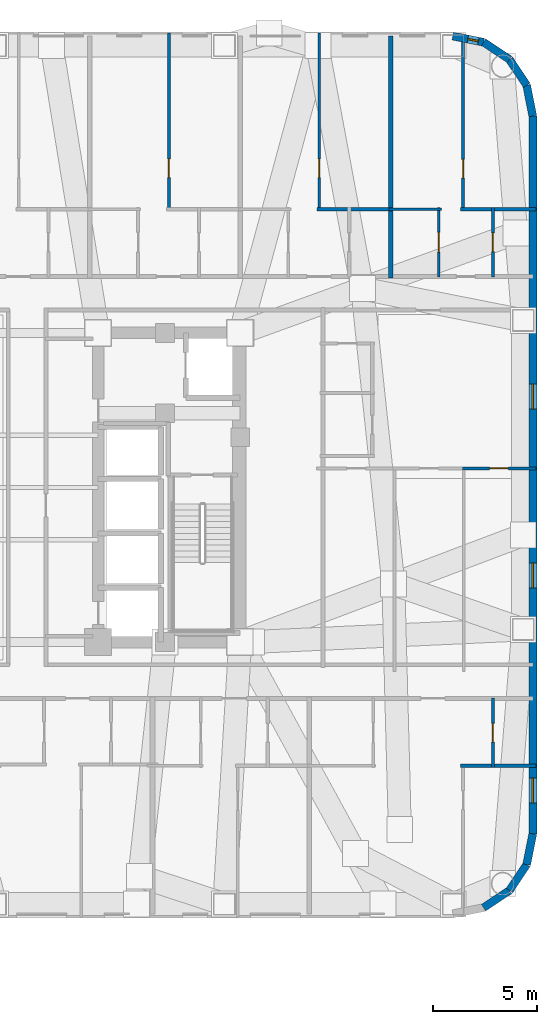
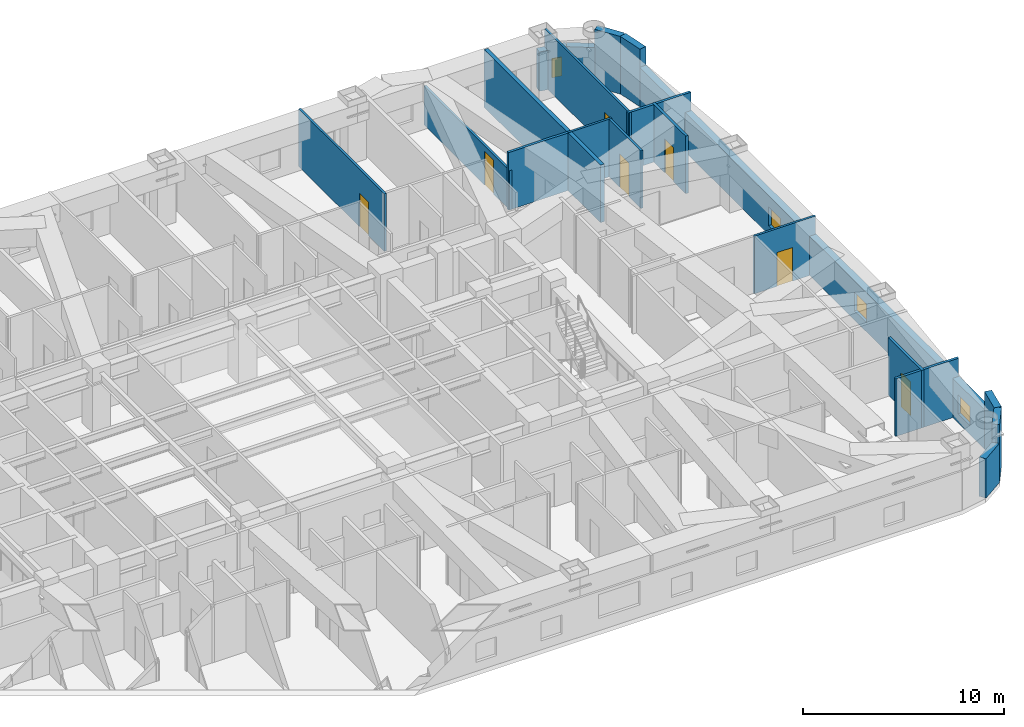
# One storey, part 11 of 14: 20 walls, 7 doors, 4 windows, 11 openings.
"""IFC4 building model written with IfcOpenShell, lengths in metres."""

from ifc_helpers import new_model, si_unit, direction, frame, frame_2d, origin, place, context, subcontext, project, spatial, rectangle, extrude, material, layer, layer_set, type_object, element, fill, save


model = new_model("IFC4")

# Units and contexts
model_context = context("Model", 3, precision=1e-05, world=origin(), true_north=direction((0.0, 1.0)))
body_context = subcontext(model_context, "Body", "Model", "MODEL_VIEW")
ifc_project = project(units=[si_unit("LENGTHUNIT", "METRE"), si_unit("AREAUNIT", "SQUARE_METRE"), si_unit("VOLUMEUNIT", "CUBIC_METRE"), si_unit("PLANEANGLEUNIT", "RADIAN"), si_unit("MASSUNIT", "GRAM", prefix="KILO")], contexts=[model_context])

# Site, building, storey
site_placement = place(None, origin())
site = spatial("IfcSite", under=ifc_project, at=site_placement, CompositionType="ELEMENT")
building_placement = place(site_placement, origin())
building = spatial("IfcBuilding", under=site, at=building_placement, Name="Voryun Gate Residences", CompositionType="ELEMENT")
storey_placement = place(building_placement, frame((0.0, 0.0, 136.5)))
storey = spatial("IfcBuildingStorey", under=building, at=storey_placement, Name="L33", CompositionType="ELEMENT", Elevation=136.5)

# Wall, opening, window
ifc_material_1 = material(Name="Granite masonry", Category="masonry")
ifc_layer_1 = layer(ifc_material_1, 0.3798828125, Name="W_EXT_GRANITE_380")
ifc_layer_set_1 = layer_set([ifc_layer_1], Name="Granite masonry")
wall_type_1 = type_object("IfcWallType", Name="W_EXT_GRANITE_380", PredefinedType="ELEMENTEDWALL", material=ifc_layer_set_1)
wall_1_placement = place(storey_placement, frame((29.38134765625, 21.610107421875, 0.0), z_axis=(0.0, 0.0, 1.0), x_axis=(0.980755066645, -0.195242155415, 0.0)))
wall_1 = element("IfcWall", 1, at=wall_1_placement, inside=storey, type_object=wall_type_1, Name="Exterior wall WEXT-L33-12", PredefinedType="ELEMENTEDWALL", context=body_context, shape_type="SweptSolid", body=[
    extrude(rectangle(XDim=1.50439453125, YDim=0.3798828125, at=frame_2d((0.752197265625, 0.0))), origin(), (0.0, 0.0, 1.0), 2.389892578125),
])
opening_1_placement = place(wall_1_placement, frame((0.732177734375, 0.0, 0.550048828125)))
opening_1 = element("IfcOpeningElement", 2, at=opening_1_placement, cuts=wall_1, Name="Opening WN10", PredefinedType="OPENING", context=body_context, shape_type="SweptSolid", body=[
    extrude(rectangle(XDim=0.52001953125, YDim=1.14990234375, at=frame_2d((0.260009765625, 0.574951171875))), frame((0.0, 0.199951171875, 0.0), z_axis=(0.0, -1.0, 0.0), x_axis=(1.0, 0.0, 0.0)), (0.0, 0.0, 1.0), 0.39990234375),
])
ifc_material_2 = material(Name="Laminated low-E glass", Category="glass")
window_type_1 = type_object("IfcWindowType", Name="WN_PAGODA_LANCET_520", PartitioningType="SINGLE_PANEL", PredefinedType="WINDOW", material=ifc_material_2)
window_1_placement = place(opening_1_placement, origin())
window_1 = element("IfcWindow", 3, at=window_1_placement, inside=storey, type_object=window_type_1, Name="Window WN-L33-DWFIX-14", OverallHeight=1.14990234375, OverallWidth=0.52001953125, PartitioningType="SINGLE_PANEL", PredefinedType="WINDOW", context=body_context, shape_type="SweptSolid", body=[
    extrude(rectangle(XDim=0.52001953125, YDim=1.14990234375, at=frame_2d((0.260009765625, 0.574951171875))), frame((0.0, 0.030029296875, 0.0), z_axis=(0.0, -1.0, 0.0), x_axis=(1.0, 0.0, 0.0)), (0.0, 0.0, 1.0), 0.06005859375),
])
fill(opening_1, window_1)

# Walls
wall_2_placement = place(storey_placement, frame((30.856689453125, 21.31640625, 0.0), z_axis=(0.0, 0.0, 1.0), x_axis=(0.831468045563, -0.555572577804, 0.0)))
element("IfcWall", 4, at=wall_2_placement, inside=storey, type_object=wall_type_1, Name="Exterior wall WEXT-L33-13", PredefinedType="ELEMENTEDWALL", context=body_context, shape_type="SweptSolid", body=[
    extrude(rectangle(XDim=1.48486328125, YDim=0.3798828125, at=frame_2d((0.742431640625, 0.0))), origin(), (0.0, 0.0, 1.0), 2.389892578125),
])
wall_3_placement = place(storey_placement, frame((32.09130859375, 20.491455078125, 0.0), z_axis=(0.0, 0.0, 1.0), x_axis=(0.555610286119, -0.831442848281, 0.0)))
element("IfcWall", 5, at=wall_3_placement, inside=storey, type_object=wall_type_1, Name="Exterior wall WEXT-L33-14", PredefinedType="ELEMENTEDWALL", context=body_context, shape_type="SweptSolid", body=[
    extrude(rectangle(XDim=1.485107421875, YDim=0.3798828125, at=frame_2d((0.74267578125, 0.0))), origin(), (0.0, 0.0, 1.0), 3.5),
])
wall_4_placement = place(storey_placement, frame((32.91650390625, 19.256591796875, 0.0), z_axis=(0.0, 0.0, 1.0), x_axis=(0.195086038585, -0.980786132421, 0.0)))
element("IfcWall", 6, at=wall_4_placement, inside=storey, type_object=wall_type_1, Name="Exterior wall WEXT-L33-15", PredefinedType="ELEMENTEDWALL", context=body_context, shape_type="SweptSolid", body=[
    extrude(rectangle(XDim=1.504150390625, YDim=0.3798828125, at=frame_2d((0.751953125, 0.0))), origin(), (0.0, 0.0, 1.0), 3.5),
])

# Wall, openings, windows
wall_5_placement = place(storey_placement, frame((33.2099609375, 17.78125, 0.0), z_axis=(0.0, 0.0, 1.0), x_axis=(0.0, -1.0, 0.0)))
wall_5 = element("IfcWall", 7, at=wall_5_placement, inside=storey, type_object=wall_type_1, Name="Exterior wall WEXT-L33-16", PredefinedType="ELEMENTEDWALL", context=body_context, shape_type="SweptSolid", body=[
    extrude(rectangle(XDim=34.362548828125, YDim=0.3798828125, at=frame_2d((17.18115234375, 0.0))), origin(), (0.0, 0.0, 1.0), 2.389892578125),
])
opening_2_placement = place(wall_5_placement, frame((31.68701171875, 0.0, 0.550048828125)))
opening_2 = element("IfcOpeningElement", 8, at=opening_2_placement, cuts=wall_5, Name="Opening WN6", PredefinedType="OPENING", context=body_context, shape_type="SweptSolid", body=[
    extrude(rectangle(XDim=1.199951171875, YDim=1.14990234375, at=frame_2d((0.60009765625, 0.574951171875))), frame((0.0, 0.199951171875, 0.0), z_axis=(0.0, -1.0, 0.0), x_axis=(1.0, 0.0, 0.0)), (0.0, 0.0, 1.0), 0.39990234375),
])
opening_3_placement = place(wall_5_placement, frame((12.836181640625, 0.0, 0.550048828125)))
opening_3 = element("IfcOpeningElement", 9, at=opening_3_placement, cuts=wall_5, Name="Opening WN6", PredefinedType="OPENING", context=body_context, shape_type="SweptSolid", body=[
    extrude(rectangle(XDim=1.199951171875, YDim=1.14990234375, at=frame_2d((0.60009765625, 0.574951171875))), frame((0.0, 0.199951171875, 0.0), z_axis=(0.0, -1.0, 0.0), x_axis=(1.0, 0.0, 0.0)), (0.0, 0.0, 1.0), 0.39990234375),
])
opening_4_placement = place(wall_5_placement, frame((21.38623046875, 0.0, 0.550048828125)))
opening_4 = element("IfcOpeningElement", 10, at=opening_4_placement, cuts=wall_5, Name="Opening WN6", PredefinedType="OPENING", context=body_context, shape_type="SweptSolid", body=[
    extrude(rectangle(XDim=1.199951171875, YDim=1.14990234375, at=frame_2d((0.60009765625, 0.574951171875))), frame((0.0, 0.199951171875, 0.0), z_axis=(0.0, -1.0, 0.0), x_axis=(1.0, 0.0, 0.0)), (0.0, 0.0, 1.0), 0.39990234375),
])
ifc_material_3 = material(Name="Laminated low-E glass", Category="glass")
window_type_2 = type_object("IfcWindowType", Name="WN_POD_SLOT_1200", PartitioningType="SINGLE_PANEL", PredefinedType="WINDOW", material=ifc_material_3)
window_2_placement = place(opening_2_placement, origin())
window_2 = element("IfcWindow", 11, at=window_2_placement, inside=storey, type_object=window_type_2, Name="Window WN-L33-DWFIX-25", OverallHeight=1.14990234375, OverallWidth=1.199951171875, PartitioningType="SINGLE_PANEL", PredefinedType="WINDOW", context=body_context, shape_type="SweptSolid", body=[
    extrude(rectangle(XDim=1.199951171875, YDim=1.14990234375, at=frame_2d((0.60009765625, 0.574951171875))), frame((0.0, 0.030029296875, 0.0), z_axis=(0.0, -1.0, 0.0), x_axis=(1.0, 0.0, 0.0)), (0.0, 0.0, 1.0), 0.06005859375),
])
fill(opening_2, window_2)
window_3_placement = place(opening_3_placement, origin())
window_3 = element("IfcWindow", 12, at=window_3_placement, inside=storey, type_object=window_type_2, Name="Window WN-L33-DWFIX-28", OverallHeight=1.14990234375, OverallWidth=1.199951171875, PartitioningType="SINGLE_PANEL", PredefinedType="WINDOW", context=body_context, shape_type="SweptSolid", body=[
    extrude(rectangle(XDim=1.199951171875, YDim=1.14990234375, at=frame_2d((0.60009765625, 0.574951171875))), frame((0.0, 0.030029296875, 0.0), z_axis=(0.0, -1.0, 0.0), x_axis=(1.0, 0.0, 0.0)), (0.0, 0.0, 1.0), 0.06005859375),
])
fill(opening_3, window_3)
window_4_placement = place(opening_4_placement, origin())
window_4 = element("IfcWindow", 13, at=window_4_placement, inside=storey, type_object=window_type_2, Name="Window WN-L33-DWFIX-29", OverallHeight=1.14990234375, OverallWidth=1.199951171875, PartitioningType="SINGLE_PANEL", PredefinedType="WINDOW", context=body_context, shape_type="SweptSolid", body=[
    extrude(rectangle(XDim=1.199951171875, YDim=1.14990234375, at=frame_2d((0.60009765625, 0.574951171875))), frame((0.0, 0.030029296875, 0.0), z_axis=(0.0, -1.0, 0.0), x_axis=(1.0, 0.0, 0.0)), (0.0, 0.0, 1.0), 0.06005859375),
])
fill(opening_4, window_4)

# Walls
wall_6_placement = place(storey_placement, frame((33.2099609375, -16.581298828125, 0.0), z_axis=(0.0, 0.0, 1.0), x_axis=(-0.195086038585, -0.980786132421, 0.0)))
element("IfcWall", 14, at=wall_6_placement, inside=storey, type_object=wall_type_1, Name="Exterior wall WEXT-L33-17", PredefinedType="ELEMENTEDWALL", context=body_context, shape_type="SweptSolid", body=[
    extrude(rectangle(XDim=1.504150390625, YDim=0.3798828125, at=frame_2d((0.751953125, 0.0))), origin(), (0.0, 0.0, 1.0), 3.5),
])
wall_7_placement = place(storey_placement, frame((32.91650390625, -18.056640625, 0.0), z_axis=(0.0, 0.0, 1.0), x_axis=(-0.555610286119, -0.831442848281, 0.0)))
element("IfcWall", 15, at=wall_7_placement, inside=storey, type_object=wall_type_1, Name="Exterior wall WEXT-L33-18", PredefinedType="ELEMENTEDWALL", context=body_context, shape_type="SweptSolid", body=[
    extrude(rectangle(XDim=1.485107421875, YDim=0.3798828125, at=frame_2d((0.74267578125, 0.0))), origin(), (0.0, 0.0, 1.0), 3.5),
])
wall_8_placement = place(storey_placement, frame((32.09130859375, -19.29150390625, 0.0), z_axis=(0.0, 0.0, 1.0), x_axis=(-0.831468045563, -0.555572577804, 0.0)))
element("IfcWall", 16, at=wall_8_placement, inside=storey, type_object=wall_type_1, Name="Exterior wall WEXT-L33-19", PredefinedType="ELEMENTEDWALL", context=body_context, shape_type="SweptSolid", body=[
    extrude(rectangle(XDim=1.48486328125, YDim=0.3798828125, at=frame_2d((0.742431640625, 0.0))), origin(), (0.0, 0.0, 1.0), 2.389892578125),
])
ifc_material_4 = material(Name="Concrete C40/50", Category="concrete")
ifc_layer_2 = layer(ifc_material_4, 0.219970703125, Name="W_PARTY_ACOUSTIC_220")
ifc_layer_set_2 = layer_set([ifc_layer_2], Name="Concrete C40/50")
wall_type_2 = type_object("IfcWallType", Name="W_PARTY_ACOUSTIC_220", PredefinedType="PARTITIONING", material=ifc_layer_set_2)
wall_9_placement = place(storey_placement, frame((26.39990234375, 10.02001953125, 0.0), z_axis=(0.0, 0.0, 1.0), x_axis=(0.0, 1.0, 0.0)))
element("IfcWall", 17, at=wall_9_placement, inside=storey, type_object=wall_type_2, Name="Partition wall WP-L33-NPTY-8", PredefinedType="PARTITIONING", context=body_context, shape_type="SweptSolid", body=[
    extrude(rectangle(XDim=11.590087890625, YDim=0.219970703125, at=frame_2d((5.794921875, 0.0))), origin(), (0.0, 0.0, 1.0), 3.5),
])

# Wall, opening, door
ifc_material_5 = material(Name="Gypsum acoustic partition")
ifc_layer_3 = layer(ifc_material_5, 0.125, Name="W_UNIT_PART_125")
ifc_layer_set_3 = layer_set([ifc_layer_3], Name="Gypsum acoustic partition")
wall_type_3 = type_object("IfcWallType", Name="W_UNIT_PART_125", PredefinedType="PARTITIONING", material=ifc_layer_set_3)
wall_10_placement = place(storey_placement, frame((15.7900390625, 13.239990234375, 0.0), z_axis=(0.0, 0.0, 1.0), x_axis=(0.0, 1.0, 0.0)))
wall_10 = element("IfcWall", 18, at=wall_10_placement, inside=storey, type_object=wall_type_3, Name="Partition wall WP-L33-N7-OVR", PredefinedType="PARTITIONING", context=body_context, shape_type="SweptSolid", body=[
    extrude(rectangle(XDim=8.52001953125, YDim=0.125, at=frame_2d((4.260009765625, 0.0))), origin(), (0.0, 0.0, 1.0), 3.5),
])
opening_5_placement = place(wall_10_placement, frame((1.5947265625, 0.0, 0.0)))
opening_5 = element("IfcOpeningElement", 19, at=opening_5_placement, cuts=wall_10, Name="Opening D-INT-2", PredefinedType="OPENING", context=body_context, shape_type="SweptSolid", body=[
    extrude(rectangle(XDim=0.89990234375, YDim=2.050048828125, at=frame_2d((0.449951171875, 1.02490234375))), frame((0.0, 0.072509765625, 0.0), z_axis=(0.0, -1.0, 0.0), x_axis=(1.0, 0.0, 0.0)), (0.0, 0.0, 1.0), 0.14501953125),
])
ifc_material_6 = material(Name="Architectural oak veneer")
door_type_1 = type_object("IfcDoorType", Name="DR_INT_BATH_900", OperationType="NOTDEFINED", PredefinedType="DOOR", material=ifc_material_6)
door_1_placement = place(opening_5_placement, origin())
door_1 = element("IfcDoor", 20, at=door_1_placement, inside=storey, type_object=door_type_1, Name="Door DR-L33-N7-DMB", OperationType="SINGLE_SWING_RIGHT", OverallHeight=2.050048828125, OverallWidth=0.89990234375, PredefinedType="DOOR", context=body_context, shape_type="SweptSolid", body=[
    extrude(rectangle(XDim=0.89990234375, YDim=2.050048828125, at=frame_2d((0.449951171875, 1.02490234375))), frame((0.0, 0.02490234375, 0.0), z_axis=(0.0, -1.0, 0.0), x_axis=(1.0, 0.0, 0.0)), (0.0, 0.0, 1.0), 0.050048828125),
])
fill(opening_5, door_1)

wall_11_placement = place(storey_placement, frame((22.989990234375, 13.239990234375, 0.0), z_axis=(0.0, 0.0, 1.0), x_axis=(0.0, 1.0, 0.0)))
wall_11 = element("IfcWall", 21, at=wall_11_placement, inside=storey, type_object=wall_type_3, Name="Partition wall WP-L33-N8-OVR", PredefinedType="PARTITIONING", context=body_context, shape_type="SweptSolid", body=[
    extrude(rectangle(XDim=8.52001953125, YDim=0.125, at=frame_2d((4.260009765625, 0.0))), origin(), (0.0, 0.0, 1.0), 2.389892578125),
])
opening_6_placement = place(wall_11_placement, frame((1.5947265625, 0.0, 0.0)))
opening_6 = element("IfcOpeningElement", 22, at=opening_6_placement, cuts=wall_11, Name="Opening D-INT-2", PredefinedType="OPENING", context=body_context, shape_type="SweptSolid", body=[
    extrude(rectangle(XDim=0.89990234375, YDim=2.050048828125, at=frame_2d((0.449951171875, 1.02490234375))), frame((0.0, 0.072509765625, 0.0), z_axis=(0.0, -1.0, 0.0), x_axis=(1.0, 0.0, 0.0)), (0.0, 0.0, 1.0), 0.14501953125),
])
door_2_placement = place(opening_6_placement, origin())
door_2 = element("IfcDoor", 23, at=door_2_placement, inside=storey, type_object=door_type_1, Name="Door DR-L33-N8-DMB", OperationType="SINGLE_SWING_RIGHT", OverallHeight=2.050048828125, OverallWidth=0.89990234375, PredefinedType="DOOR", context=body_context, shape_type="SweptSolid", body=[
    extrude(rectangle(XDim=0.89990234375, YDim=2.050048828125, at=frame_2d((0.449951171875, 1.02490234375))), frame((0.0, 0.02490234375, 0.0), z_axis=(0.0, -1.0, 0.0), x_axis=(1.0, 0.0, 0.0)), (0.0, 0.0, 1.0), 0.050048828125),
])
fill(opening_6, door_2)

wall_12_placement = place(storey_placement, frame((29.867919921875, 13.239990234375, 0.0), z_axis=(0.0, 0.0, 1.0), x_axis=(0.0, 1.0, 0.0)))
wall_12 = element("IfcWall", 24, at=wall_12_placement, inside=storey, type_object=wall_type_3, Name="Partition wall WP-L33-N9-OVR", PredefinedType="PARTITIONING", context=body_context, shape_type="SweptSolid", body=[
    extrude(rectangle(XDim=8.426025390625, YDim=0.125, at=frame_2d((4.212890625, 0.0))), origin(), (0.0, 0.0, 1.0), 3.5),
])
opening_7_placement = place(wall_12_placement, frame((1.572265625, 0.0, 0.0)))
opening_7 = element("IfcOpeningElement", 25, at=opening_7_placement, cuts=wall_12, Name="Opening D-INT-2", PredefinedType="OPENING", context=body_context, shape_type="SweptSolid", body=[
    extrude(rectangle(XDim=0.89990234375, YDim=2.050048828125, at=frame_2d((0.449951171875, 1.02490234375))), frame((0.0, 0.072509765625, 0.0), z_axis=(0.0, -1.0, 0.0), x_axis=(1.0, 0.0, 0.0)), (0.0, 0.0, 1.0), 0.14501953125),
])
door_3_placement = place(opening_7_placement, origin())
door_3 = element("IfcDoor", 26, at=door_3_placement, inside=storey, type_object=door_type_1, Name="Door DR-L33-N9-DMB", OperationType="SINGLE_SWING_RIGHT", OverallHeight=2.050048828125, OverallWidth=0.89990234375, PredefinedType="DOOR", context=body_context, shape_type="SweptSolid", body=[
    extrude(rectangle(XDim=0.89990234375, YDim=2.050048828125, at=frame_2d((0.449951171875, 1.02490234375))), frame((0.0, 0.02490234375, 0.0), z_axis=(0.0, -1.0, 0.0), x_axis=(1.0, 0.0, 0.0)), (0.0, 0.0, 1.0), 0.050048828125),
])
fill(opening_7, door_3)

wall_13_placement = place(storey_placement, frame((28.7099609375, 10.080078125, 0.0), z_axis=(0.0, 0.0, 1.0), x_axis=(0.0, 1.0, 0.0)))
wall_13 = element("IfcWall", 27, at=wall_13_placement, inside=storey, type_object=wall_type_3, Name="Partition wall WP-L33-N9-IVK", PredefinedType="PARTITIONING", context=body_context, shape_type="SweptSolid", body=[
    extrude(rectangle(XDim=3.31982421875, YDim=0.125, at=frame_2d((1.659912109375, 0.0))), origin(), (0.0, 0.0, 1.0), 3.5),
])
opening_8_placement = place(wall_13_placement, frame((1.18505859375, 0.0, 0.0)))
opening_8 = element("IfcOpeningElement", 28, at=opening_8_placement, cuts=wall_13, Name="Opening D-INT-1", PredefinedType="OPENING", context=body_context, shape_type="SweptSolid", body=[
    extrude(rectangle(XDim=0.949951171875, YDim=2.050048828125, at=frame_2d((0.47509765625, 1.02490234375))), frame((0.0, 0.072509765625, 0.0), z_axis=(0.0, -1.0, 0.0), x_axis=(1.0, 0.0, 0.0)), (0.0, 0.0, 1.0), 0.14501953125),
])
ifc_material_7 = material(Name="Architectural oak veneer")
door_type_2 = type_object("IfcDoorType", Name="DR_INT_ROOM_950", OperationType="NOTDEFINED", PredefinedType="DOOR", material=ifc_material_7)
door_4_placement = place(opening_8_placement, origin())
door_4 = element("IfcDoor", 29, at=door_4_placement, inside=storey, type_object=door_type_2, Name="Door DR-L33-N9-DK", OperationType="SINGLE_SWING_LEFT", OverallHeight=2.050048828125, OverallWidth=0.949951171875, PredefinedType="DOOR", context=body_context, shape_type="SweptSolid", body=[
    extrude(rectangle(XDim=0.949951171875, YDim=2.050048828125, at=frame_2d((0.47509765625, 1.02490234375))), frame((0.0, 0.02490234375, 0.0), z_axis=(0.0, -1.0, 0.0), x_axis=(1.0, 0.0, 0.0)), (0.0, 0.0, 1.0), 0.050048828125),
])
fill(opening_8, door_4)

# Wall
wall_14_placement = place(storey_placement, frame((26.324951171875, 13.320068359375, 0.0), z_axis=(0.0, 0.0, 1.0), x_axis=(1.0, 0.0, 0.0)))
element("IfcWall", 30, at=wall_14_placement, inside=storey, type_object=wall_type_3, Name="Partition wall WP-L33-N9-HZK", PredefinedType="PARTITIONING", context=body_context, shape_type="SweptSolid", body=[
    extrude(rectangle(XDim=2.505126953125, YDim=0.125, at=frame_2d((1.25244140625, 0.0))), origin(), (0.0, 0.0, 1.0), 3.5),
])

# Wall, opening, door
wall_15_placement = place(storey_placement, frame((29.839599609375, 0.909912109375, 0.0), z_axis=(0.0, 0.0, 1.0), x_axis=(1.0, 0.0, 0.0)))
wall_15 = element("IfcWall", 31, at=wall_15_placement, inside=storey, type_object=wall_type_3, Name="Partition wall WP-L33-E1-HZMB3", PredefinedType="PARTITIONING", context=body_context, shape_type="SweptSolid", body=[
    extrude(rectangle(XDim=3.5205078125, YDim=0.125, at=frame_2d((1.76025390625, 0.0))), origin(), (0.0, 0.0, 1.0), 3.5),
])
opening_9_placement = place(wall_15_placement, frame((1.301513671875, 0.0, 0.0)))
opening_9 = element("IfcOpeningElement", 32, at=opening_9_placement, cuts=wall_15, Name="Opening D-INT-2", PredefinedType="OPENING", context=body_context, shape_type="SweptSolid", body=[
    extrude(rectangle(XDim=0.89990234375, YDim=2.050048828125, at=frame_2d((0.449951171875, 1.02490234375))), frame((0.0, 0.072509765625, 0.0), z_axis=(0.0, -1.0, 0.0), x_axis=(1.0, 0.0, 0.0)), (0.0, 0.0, 1.0), 0.14501953125),
])
door_5_placement = place(opening_9_placement, origin())
door_5 = element("IfcDoor", 33, at=door_5_placement, inside=storey, type_object=door_type_1, Name="Door DR-L33-E1-DBD3", OperationType="SINGLE_SWING_LEFT", OverallHeight=2.050048828125, OverallWidth=0.89990234375, PredefinedType="DOOR", context=body_context, shape_type="SweptSolid", body=[
    extrude(rectangle(XDim=0.89990234375, YDim=2.050048828125, at=frame_2d((0.449951171875, 1.02490234375))), frame((0.0, 0.02490234375, 0.0), z_axis=(0.0, -1.0, 0.0), x_axis=(1.0, 0.0, 0.0)), (0.0, 0.0, 1.0), 0.050048828125),
])
fill(opening_9, door_5)

# Walls
ifc_material_8 = material(Name="Gypsum moisture-resistant partition")
ifc_layer_4 = layer(ifc_material_8, 0.14990234375, Name="W_WET_PLUMB_150")
ifc_layer_set_4 = layer_set([ifc_layer_4], Name="Gypsum moisture-resistant partition")
wall_type_4 = type_object("IfcWallType", Name="W_WET_PLUMB_150", PredefinedType="PLUMBINGWALL", material=ifc_layer_set_4)
wall_16_placement = place(storey_placement, frame((22.8701171875, 13.320068359375, 0.0), z_axis=(0.0, 0.0, 1.0), x_axis=(1.0, 0.0, 0.0)))
element("IfcWall", 34, at=wall_16_placement, inside=storey, type_object=wall_type_4, Name="Partition wall WP-L33-N8-HZB", PredefinedType="PLUMBINGWALL", context=body_context, shape_type="SweptSolid", body=[
    extrude(rectangle(XDim=3.60498046875, YDim=0.14990234375, at=frame_2d((1.802490234375, 0.0))), origin(), (0.0, 0.0, 1.0), 3.5),
])
wall_17_placement = place(storey_placement, frame((29.748046875, 13.320068359375, 0.0), z_axis=(0.0, 0.0, 1.0), x_axis=(1.0, 0.0, 0.0)))
element("IfcWall", 35, at=wall_17_placement, inside=storey, type_object=wall_type_4, Name="Partition wall WP-L33-N9-HZB", PredefinedType="PLUMBINGWALL", context=body_context, shape_type="SweptSolid", body=[
    extrude(rectangle(XDim=3.612060546875, YDim=0.14990234375, at=frame_2d((1.80615234375, 0.0))), origin(), (0.0, 0.0, 1.0), 3.5),
])

# Wall, opening, door
wall_18_placement = place(storey_placement, frame((31.298095703125, 10.080078125, 0.0), z_axis=(0.0, 0.0, 1.0), x_axis=(0.0, 1.0, 0.0)))
wall_18 = element("IfcWall", 36, at=wall_18_placement, inside=storey, type_object=wall_type_4, Name="Partition wall WP-L33-N9-IVB", PredefinedType="PLUMBINGWALL", context=body_context, shape_type="SweptSolid", body=[
    extrude(rectangle(XDim=3.31982421875, YDim=0.14990234375, at=frame_2d((1.659912109375, 0.0))), origin(), (0.0, 0.0, 1.0), 3.5),
])
opening_10_placement = place(wall_18_placement, frame((1.2099609375, 0.0, 0.0)))
opening_10 = element("IfcOpeningElement", 37, at=opening_10_placement, cuts=wall_18, Name="Opening D-INT-2", PredefinedType="OPENING", context=body_context, shape_type="SweptSolid", body=[
    extrude(rectangle(XDim=0.89990234375, YDim=2.050048828125, at=frame_2d((0.449951171875, 1.02490234375))), frame((0.0, 0.0849609375, 0.0), z_axis=(0.0, -1.0, 0.0), x_axis=(1.0, 0.0, 0.0)), (0.0, 0.0, 1.0), 0.169921875),
])
door_6_placement = place(opening_10_placement, origin())
door_6 = element("IfcDoor", 38, at=door_6_placement, inside=storey, type_object=door_type_1, Name="Door DR-L33-N9-DB", OperationType="SINGLE_SWING_RIGHT", OverallHeight=2.050048828125, OverallWidth=0.89990234375, PredefinedType="DOOR", context=body_context, shape_type="SweptSolid", body=[
    extrude(rectangle(XDim=0.89990234375, YDim=2.050048828125, at=frame_2d((0.449951171875, 1.02490234375))), frame((0.0, 0.02490234375, 0.0), z_axis=(0.0, -1.0, 0.0), x_axis=(1.0, 0.0, 0.0)), (0.0, 0.0, 1.0), 0.050048828125),
])
fill(opening_10, door_6)

# Wall
wall_19_placement = place(storey_placement, frame((29.748046875, -13.320068359375, 0.0), z_axis=(0.0, 0.0, 1.0), x_axis=(1.0, 0.0, 0.0)))
element("IfcWall", 39, at=wall_19_placement, inside=storey, type_object=wall_type_4, Name="Partition wall WP-L33-S8-HZB", PredefinedType="PLUMBINGWALL", context=body_context, shape_type="SweptSolid", body=[
    extrude(rectangle(XDim=3.612060546875, YDim=0.14990234375, at=frame_2d((1.80615234375, 0.0))), origin(), (0.0, 0.0, 1.0), 3.5),
])

# Wall, opening, door
wall_20_placement = place(storey_placement, frame((31.298095703125, -13.39990234375, 0.0), z_axis=(0.0, 0.0, 1.0), x_axis=(0.0, 1.0, 0.0)))
wall_20 = element("IfcWall", 40, at=wall_20_placement, inside=storey, type_object=wall_type_4, Name="Partition wall WP-L33-S8-IVB", PredefinedType="PLUMBINGWALL", context=body_context, shape_type="SweptSolid", body=[
    extrude(rectangle(XDim=3.31982421875, YDim=0.14990234375, at=frame_2d((1.659912109375, 0.0))), origin(), (0.0, 0.0, 1.0), 3.5),
])
opening_11_placement = place(wall_20_placement, frame((1.2099609375, 0.0, 0.0)))
opening_11 = element("IfcOpeningElement", 41, at=opening_11_placement, cuts=wall_20, Name="Opening D-INT-2", PredefinedType="OPENING", context=body_context, shape_type="SweptSolid", body=[
    extrude(rectangle(XDim=0.89990234375, YDim=2.050048828125, at=frame_2d((0.449951171875, 1.02490234375))), frame((0.0, 0.0849609375, 0.0), z_axis=(0.0, -1.0, 0.0), x_axis=(1.0, 0.0, 0.0)), (0.0, 0.0, 1.0), 0.169921875),
])
door_7_placement = place(opening_11_placement, origin())
door_7 = element("IfcDoor", 42, at=door_7_placement, inside=storey, type_object=door_type_1, Name="Door DR-L33-S8-DB", OperationType="SINGLE_SWING_RIGHT", OverallHeight=2.050048828125, OverallWidth=0.89990234375, PredefinedType="DOOR", context=body_context, shape_type="SweptSolid", body=[
    extrude(rectangle(XDim=0.89990234375, YDim=2.050048828125, at=frame_2d((0.449951171875, 1.02490234375))), frame((0.0, 0.02490234375, 0.0), z_axis=(0.0, -1.0, 0.0), x_axis=(1.0, 0.0, 0.0)), (0.0, 0.0, 1.0), 0.050048828125),
])
fill(opening_11, door_7)

save(model, "model.ifc")
